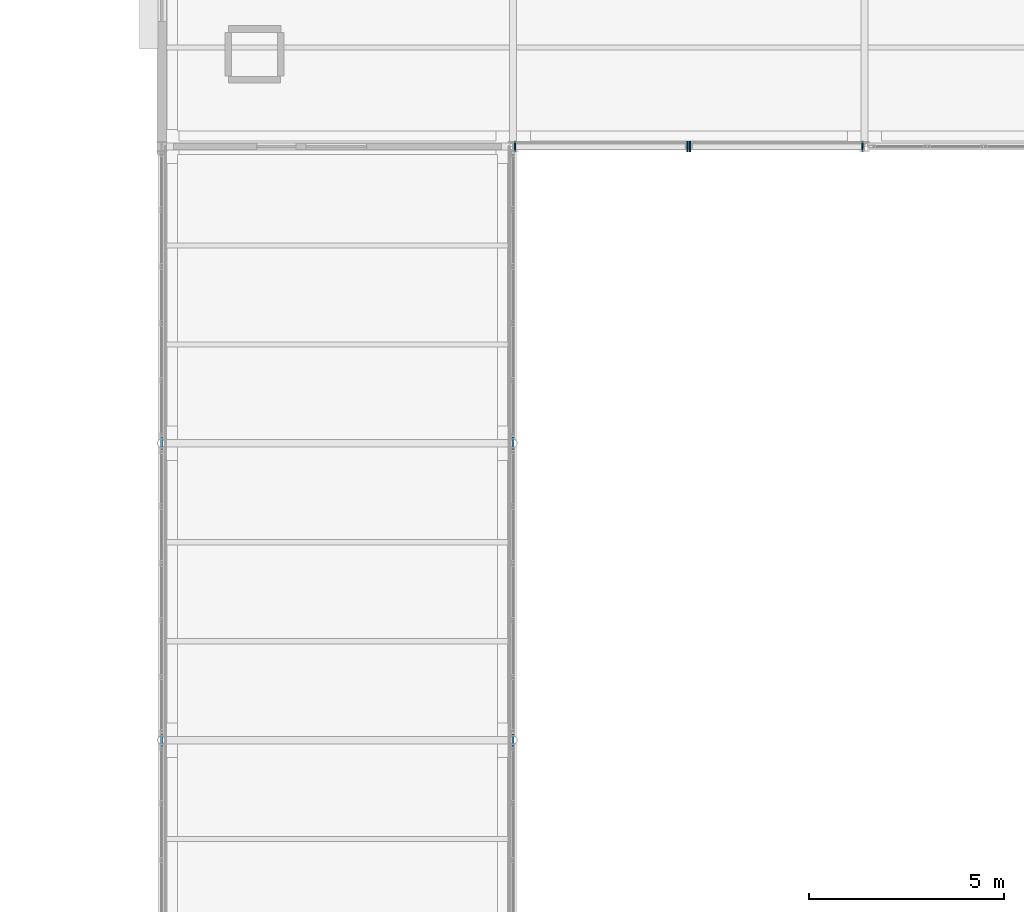
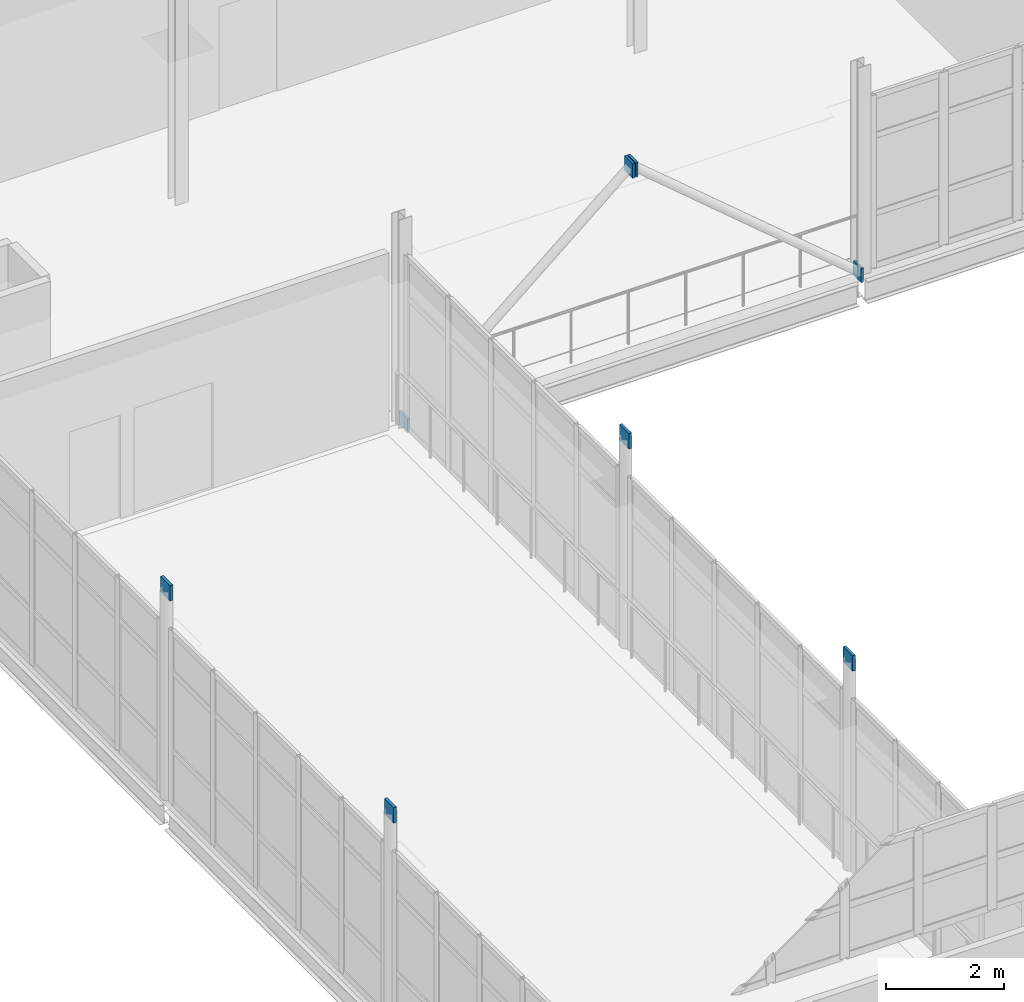
# One storey, part 145 of 166: 8 plates.
"""IFC4 building model written with IfcOpenShell, lengths in metres."""

from ifc_helpers import new_model, si_unit, direction, frame, origin, origin_2d, place, context, subcontext, project, spatial, rectangle, extrude, material, layer, layer_set, type_object, element, save


model = new_model("IFC4")

# Units and contexts
model_context = context("Model", 3, precision=1e-05, world=origin(), true_north=direction((0.0, 1.0)))
body_context = subcontext(model_context, "Body", "Model", "MODEL_VIEW")
ifc_project = project(units=[si_unit("LENGTHUNIT", "METRE"), si_unit("AREAUNIT", "SQUARE_METRE"), si_unit("VOLUMEUNIT", "CUBIC_METRE"), si_unit("PLANEANGLEUNIT", "RADIAN"), si_unit("MASSUNIT", "GRAM", prefix="KILO")], contexts=[model_context])

# Site, building, storey
site_placement = place(None, origin())
site = spatial("IfcSite", under=ifc_project, at=site_placement, CompositionType="ELEMENT")
building_placement = place(site_placement, origin())
building = spatial("IfcBuilding", under=site, at=building_placement, Name="Caisbarro Railhouse Central Library", CompositionType="ELEMENT")
storey_placement = place(building_placement, frame((0.0, 0.0, 9.360107421875)))
storey = spatial("IfcBuildingStorey", under=building, at=storey_placement, Name="L02", CompositionType="ELEMENT", Elevation=9.360107421875)

# Plates
ifc_material = material(Name="Steel ASTM A572 Grade 50", Category="steel")
ifc_layer_1 = layer(ifc_material, 0.044921875, Name="Steel ASTM A572 Grade 50")
ifc_layer_set_1 = layer_set([ifc_layer_1], Name="Steel ASTM A572 Grade 50")
plate_type_1 = type_object("IfcPlateType", Name="PLT-EP01", PredefinedType="SHEET", material=ifc_layer_set_1)
for number, where, z_axis, x_axis, name in (
    (1, (63.05078125, 83.60009765625, -0.1376953125), (0.0, 0.0, 1.0), (1.0, 0.0, 0.0), "EP01 end cap plate"),
    (2, (67.46923828125, 83.60009765625, 3.59765625), (0.0, 0.0, 1.0), (1.0, 0.0, 0.0), "EP01 end cap plate"),
    (3, (71.94921875, 83.60009765625, -0.1376953125), (0.0, 0.0, 1.0), (-1.0, 0.0, 0.0), "EP01 end cap plate"),
    (4, (67.53076171875, 83.60009765625, 3.59765625), (0.0, 0.0, 1.0), (-1.0, 0.0, 0.0), "EP01 end cap plate"),
):
    element("IfcPlate", number, at=place(storey_placement, frame(where, z_axis=z_axis, x_axis=x_axis)), inside=storey, type_object=plate_type_1, Name=name, PredefinedType="SHEET", context=body_context, shape_type="SweptSolid", body=[
        extrude(rectangle(XDim=0.044921875, YDim=0.280029296875, at=origin_2d()), origin(), (0.0, 0.0, 1.0), 0.300048828125),
    ])
ifc_layer_2 = layer(ifc_material, 0.054931640625, Name="Steel ASTM A572 Grade 50")
ifc_layer_set_2 = layer_set([ifc_layer_2], Name="Steel ASTM A572 Grade 50")
plate_type_2 = type_object("IfcPlateType", Name="PLT-EP02", PredefinedType="SHEET", material=ifc_layer_set_2)
for number, where, z_axis, x_axis, name in (
    (5, (54.0, 68.39990234375, 4.171875), (0.0, 0.0, 1.0), (1.0, 0.0, 0.0), "EP02 end cap plate"),
    (6, (54.0, 76.0, 4.171875), (0.0, 0.0, 1.0), (1.0, 0.0, 0.0), "EP02 end cap plate"),
    (7, (63.0, 68.39990234375, 4.171875), (0.0, 0.0, 1.0), (1.0, 0.0, 0.0), "EP02 end cap plate"),
    (8, (63.0, 76.0, 4.171875), (0.0, 0.0, 1.0), (1.0, 0.0, 0.0), "EP02 end cap plate"),
):
    element("IfcPlate", number, at=place(storey_placement, frame(where, z_axis=z_axis, x_axis=x_axis)), inside=storey, type_object=plate_type_2, Name=name, PredefinedType="SHEET", context=body_context, shape_type="SweptSolid", body=[
        extrude(rectangle(XDim=0.054931640625, YDim=0.320068359375, at=origin_2d()), origin(), (0.0, 0.0, 1.0), 0.320068359375),
    ])

save(model, "model.ifc")
